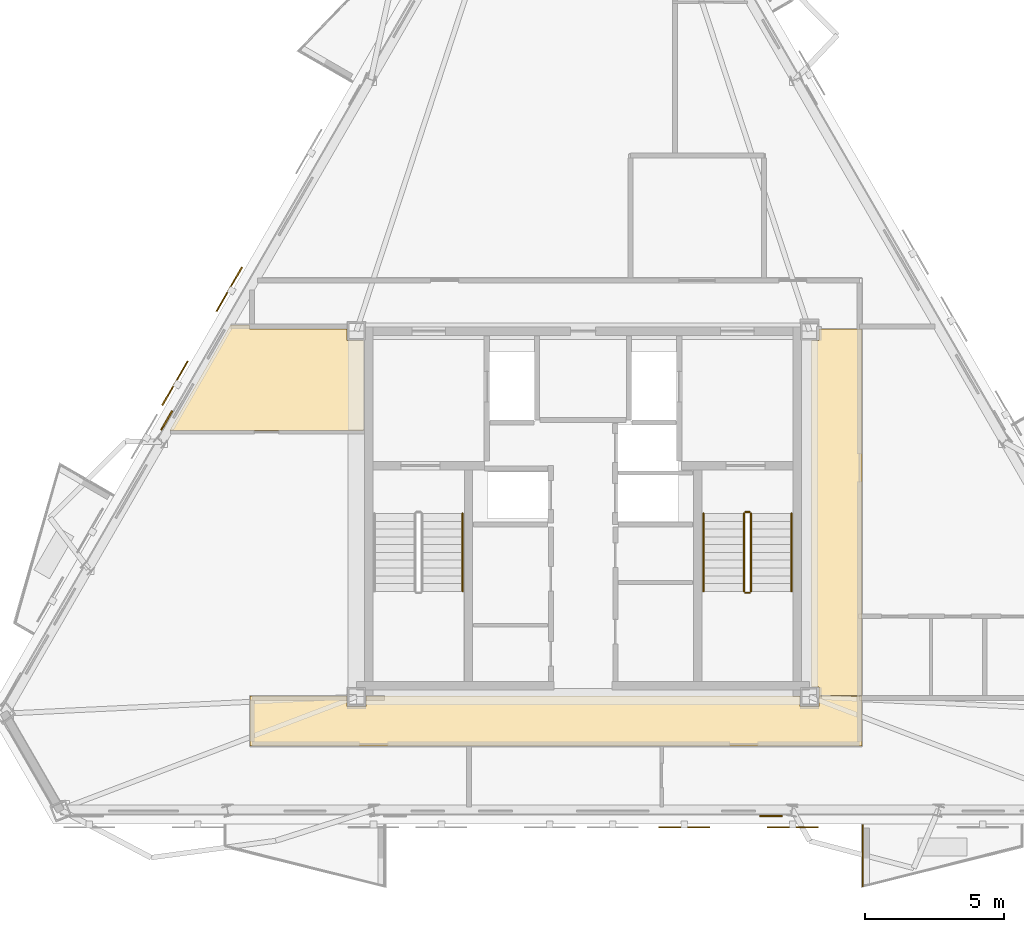
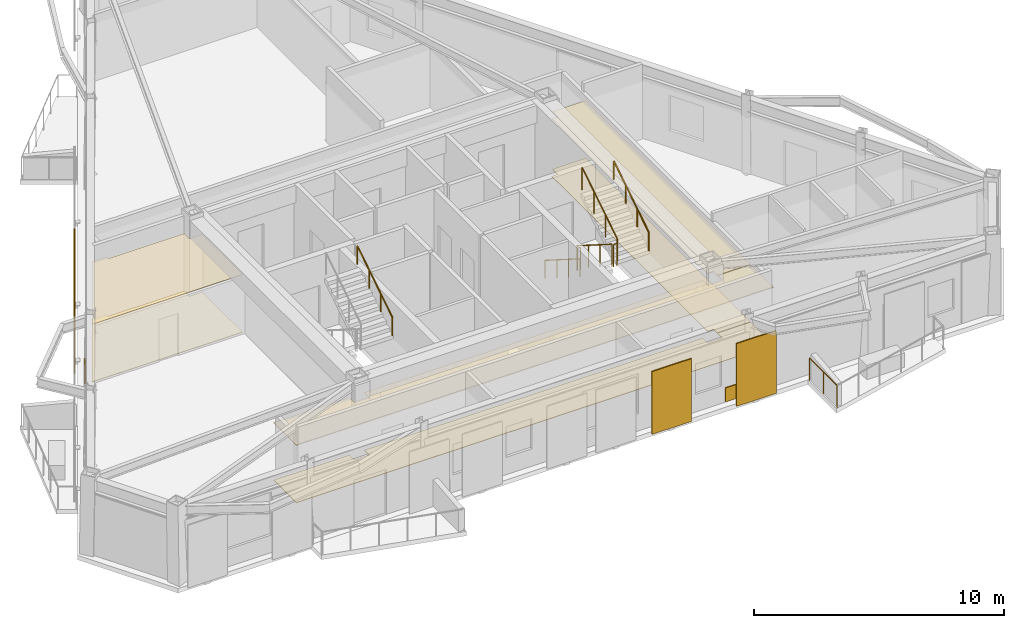
# One storey, part 7 of 9: 8 coverings, 8 railings, 4 shading devices.
"""IFC4 building model written with IfcOpenShell, lengths in metres."""

from ifc_helpers import new_model, si_unit, direction, frame, origin, origin_2d, place, context, subcontext, project, spatial, polyline, rectangle, circle, outline, extrude, material, layer, layer_set, type_object, element, save


model = new_model("IFC4")

# Units and contexts
model_context = context("Model", 3, precision=1e-05, world=origin(), true_north=direction((0.0, 1.0)))
body_context = subcontext(model_context, "Body", "Model", "MODEL_VIEW")
ifc_project = project(units=[si_unit("LENGTHUNIT", "METRE"), si_unit("AREAUNIT", "SQUARE_METRE"), si_unit("VOLUMEUNIT", "CUBIC_METRE"), si_unit("PLANEANGLEUNIT", "RADIAN"), si_unit("MASSUNIT", "GRAM", prefix="KILO")], contexts=[model_context])

# Site, building, storey
site_placement = place(None, origin())
site = spatial("IfcSite", under=ifc_project, at=site_placement, CompositionType="ELEMENT")
building_placement = place(site_placement, origin())
building = spatial("IfcBuilding", under=site, at=building_placement, Name="Oramaril Tower", CompositionType="ELEMENT")
storey_placement = place(building_placement, frame((0.0, 0.0, 292.800048828125)))
storey = spatial("IfcBuildingStorey", under=building, at=storey_placement, Name="L77", CompositionType="ELEMENT", Elevation=292.800048828125)

# Coverings
ifc_material_1 = material(Name="Mineral Fibre Acoustic Ceiling")
ifc_layer_1 = layer(ifc_material_1, 0.02001953125)
ifc_layer_set_1 = layer_set([ifc_layer_1], Name="CVT-CEIL")
covering_type_1 = type_object("IfcCoveringType", Name="CVT-CEIL", PredefinedType="CEILING", material=ifc_layer_set_1)
covering_1_placement = place(storey_placement, frame((0.0, 0.0, 2.81201171875)))
element("IfcCovering", 1, at=covering_1_placement, inside=storey, type_object=covering_type_1, Name="L77 Acoustic Suspended Ceiling 1", PredefinedType="CEILING", context=body_context, shape_type="SweptSolid", body=[
    extrude(outline(polyline([(29.0048828125, 10.655029296875), (29.695068359375, 10.655029296875), (29.695068359375, 11.030029296875), (45.304931640625, 11.030029296875), (45.304931640625, 10.655029296875), (45.9951171875, 10.655029296875), (45.9951171875, 11.030029296875), (47.530029296875, 11.030029296875), (47.530029296875, 9.219970703125), (25.52001953125, 9.219970703125), (25.52001953125, 11.030029296875), (29.0048828125, 11.030029296875), (29.0048828125, 10.655029296875)])), origin(), (0.0, 0.0, 1.0), 0.02001953125),
])
covering_2_placement = place(storey_placement, frame((0.0, 0.0, 2.81201171875)))
element("IfcCovering", 2, at=covering_2_placement, inside=storey, type_object=covering_type_1, Name="L77 Acoustic Suspended Ceiling 3", PredefinedType="CEILING", context=body_context, shape_type="SweptSolid", body=[
    extrude(outline(polyline([(47.530029296875, 11.050048828125), (45.9951171875, 11.050048828125), (45.9951171875, 11.344970703125), (45.719970703125, 11.344970703125), (45.719970703125, 23.804931640625), (45.9951171875, 23.804931640625), (45.9951171875, 24.219970703125), (47.530029296875, 24.219970703125), (47.530029296875, 11.050048828125)])), origin(), (0.0, 0.0, 1.0), 0.02001953125),
])
covering_3_placement = place(storey_placement, frame((0.0, 0.0, 2.81201171875)))
element("IfcCovering", 3, at=covering_3_placement, inside=storey, type_object=covering_type_1, Name="L77 Acoustic Suspended Ceiling 8", PredefinedType="CEILING", context=body_context, shape_type="SweptSolid", body=[
    extrude(outline(polyline([(29.0048828125, 23.804931640625), (29.60009765625, 23.804931640625), (29.60009765625, 20.5791015625), (22.6416015625, 20.5791015625), (24.82568359375, 24.362060546875), (25.5, 24.362060546875), (25.5, 24.239990234375), (25.5, 24.238037109375), (25.50048828125, 24.236083984375), (25.5009765625, 24.234130859375), (25.50146484375, 24.232421875), (25.50244140625, 24.230712890625), (25.50341796875, 24.22900390625), (25.50439453125, 24.227294921875), (25.505859375, 24.225830078125), (25.50732421875, 24.224609375), (25.5087890625, 24.223388671875), (25.510498046875, 24.222412109375), (25.51220703125, 24.221435546875), (25.51416015625, 24.220947265625), (25.51611328125, 24.220458984375), (25.51806640625, 24.22021484375), (25.52001953125, 24.219970703125), (29.0048828125, 24.219970703125), (29.0048828125, 23.804931640625)])), origin(), (0.0, 0.0, 1.0), 0.02001953125),
])
ifc_material_2 = material(Name="Warm Cream Limestone", Category="masonry")
ifc_layer_2 = layer(ifc_material_2, 0.050048828125)
ifc_layer_set_2 = layer_set([ifc_layer_2], Name="CVT-CLD")
covering_type_2 = type_object("IfcCoveringType", Name="CVT-CLD", PredefinedType="CLADDING", material=ifc_layer_set_2)
for number, where, z_axis, x_axis, name in (
    (4, (44.2626953125, 6.716552734375, 0.0400390625), (0.0, 0.0, 1.0), (1.0, 0.0, 0.0), "L77 Warm Cream Limestone Spandrel Cladding"),
    (5, (22.5283203125, 20.93505859375, 0.0400390625), (0.0, 0.0, 1.0), (-0.5, -0.866025403784, 0.0), "L77 Warm Cream Limestone Spandrel Cladding"),
):
    element("IfcCovering", number, at=place(storey_placement, frame(where, z_axis=z_axis, x_axis=x_axis)), inside=storey, type_object=covering_type_2, Name=name, PredefinedType="CLADDING", context=body_context, shape_type="SweptSolid", body=[
        extrude(rectangle(XDim=0.800048828125, YDim=0.050048828125, at=origin_2d()), origin(), (0.0, 0.0, 1.0), 0.679931640625),
    ])
ifc_material_3 = material(Name="Honed Quartzite Stone Flooring", Category="masonry")
ifc_layer_3 = layer(ifc_material_3, 0.02490234375)
ifc_layer_set_3 = layer_set([ifc_layer_3], Name="CVT-FLR")
covering_type_3 = type_object("IfcCoveringType", Name="CVT-FLR", PredefinedType="FLOORING", material=ifc_layer_set_3)
covering_4_placement = place(storey_placement, origin())
element("IfcCovering", 6, at=covering_4_placement, inside=storey, type_object=covering_type_3, Name="L77 Honed Stone Floor Finish 1", PredefinedType="FLOORING", context=body_context, shape_type="SweptSolid", body=[
    extrude(outline(polyline([(29.0048828125, 10.655029296875), (29.695068359375, 10.655029296875), (29.695068359375, 11.030029296875), (45.304931640625, 11.030029296875), (45.304931640625, 10.655029296875), (45.9951171875, 10.655029296875), (45.9951171875, 11.030029296875), (47.530029296875, 11.030029296875), (47.530029296875, 9.219970703125), (25.52001953125, 9.219970703125), (25.52001953125, 11.030029296875), (29.0048828125, 11.030029296875), (29.0048828125, 10.655029296875)])), origin(), (0.0, 0.0, 1.0), 0.02490234375),
])
covering_5_placement = place(storey_placement, origin())
element("IfcCovering", 7, at=covering_5_placement, inside=storey, type_object=covering_type_3, Name="L77 Honed Stone Floor Finish 3", PredefinedType="FLOORING", context=body_context, shape_type="SweptSolid", body=[
    extrude(outline(polyline([(47.530029296875, 11.050048828125), (45.9951171875, 11.050048828125), (45.9951171875, 11.344970703125), (45.719970703125, 11.344970703125), (45.719970703125, 23.804931640625), (45.9951171875, 23.804931640625), (45.9951171875, 24.219970703125), (47.530029296875, 24.219970703125), (47.530029296875, 11.050048828125)])), origin(), (0.0, 0.0, 1.0), 0.02490234375),
])
covering_6_placement = place(storey_placement, origin())
element("IfcCovering", 8, at=covering_6_placement, inside=storey, type_object=covering_type_3, Name="L77 Honed Stone Floor Finish 8", PredefinedType="FLOORING", context=body_context, shape_type="SweptSolid", body=[
    extrude(outline(polyline([(29.0048828125, 23.804931640625), (29.60009765625, 23.804931640625), (29.60009765625, 20.5791015625), (22.6416015625, 20.5791015625), (24.82568359375, 24.362060546875), (25.5, 24.362060546875), (25.5, 24.239990234375), (25.5, 24.238037109375), (25.50048828125, 24.236083984375), (25.5009765625, 24.234130859375), (25.50146484375, 24.232421875), (25.50244140625, 24.230712890625), (25.50341796875, 24.22900390625), (25.50439453125, 24.227294921875), (25.505859375, 24.225830078125), (25.50732421875, 24.224609375), (25.5087890625, 24.223388671875), (25.510498046875, 24.222412109375), (25.51220703125, 24.221435546875), (25.51416015625, 24.220947265625), (25.51611328125, 24.220458984375), (25.51806640625, 24.22021484375), (25.52001953125, 24.219970703125), (29.0048828125, 24.219970703125), (29.0048828125, 23.804931640625)])), origin(), (0.0, 0.0, 1.0), 0.02490234375),
])

# Railings
ifc_material_4 = material(Name="Stainless Steel 316L", Category="steel")
railing_type_1 = type_object("IfcRailingType", Name="RLT-GRD", PredefinedType="GUARDRAIL", material=ifc_material_4)
railing_1_placement = place(storey_placement, frame((47.560791015625, 4.1845703125, 0.0)))
element("IfcRailing", 9, at=railing_1_placement, inside=storey, type_object=railing_type_1, Name="L77 Balcony Guardrail L77-BAL-S2.3", PredefinedType="GUARDRAIL", context=body_context, shape_type="SweptSolid", body=[
    extrude(circle(Radius=0.02392578125, at=origin_2d()), frame((0.0, 0.0, 1.076171875), z_axis=(0.0, 1.0, 0.0), x_axis=(-1.0, 0.0, 0.0)), (0.0, 0.0, 1.0), 2.192138671875),
    extrude(circle(Radius=0.02099609375, at=origin_2d()), origin(), (0.0, 0.0, 1.0), 1.052001953125),
    extrude(circle(Radius=0.02099609375, at=origin_2d()), frame((0.0, 1.09619140625, 0.0)), (0.0, 0.0, 1.0), 1.052001953125),
    extrude(circle(Radius=0.02099609375, at=origin_2d()), frame((0.0, 2.192138671875, 0.0)), (0.0, 0.0, 1.0), 1.052001953125),
])
railing_2_placement = place(storey_placement, frame((43.2900390625, 17.590087890625, 0.17724609375)))
element("IfcRailing", 10, at=railing_2_placement, inside=storey, type_object=railing_type_1, Name="L77 ST-2 stair guard 1", PredefinedType="GUARDRAIL", context=body_context, shape_type="SweptSolid", body=[
    extrude(circle(Radius=0.02392578125, at=origin_2d()), frame((0.0, 0.0, 1.076171875), z_axis=(0.0, -0.844908973607, 0.534910110503), x_axis=(1.0, 0.0, 0.0)), (0.0, 0.0, 1.0), 3.31396484375),
    extrude(circle(Radius=0.02099609375, at=origin_2d()), origin(), (0.0, 0.0, 1.0), 1.052001953125),
    extrude(circle(Radius=0.02099609375, at=origin_2d()), frame((0.0, -0.933349609375, 0.5908203125)), (0.0, 0.0, 1.0), 1.052001953125),
    extrude(circle(Radius=0.02099609375, at=origin_2d()), frame((0.0, -1.86669921875, 1.181884765625)), (0.0, 0.0, 1.0), 1.052001953125),
    extrude(circle(Radius=0.02099609375, at=origin_2d()), frame((0.0, -2.800048828125, 1.772705078125)), (0.0, 0.0, 1.0), 1.052001953125),
])
railing_3_placement = place(storey_placement, frame((43.340087890625, 14.739990234375, 1.949951171875)))
element("IfcRailing", 11, at=railing_3_placement, inside=storey, type_object=railing_type_1, Name="L77 ST-2 stair guard 2", PredefinedType="GUARDRAIL", context=body_context, shape_type="SweptSolid", body=[
    extrude(circle(Radius=0.02392578125, at=origin_2d()), frame((0.0, 0.0, 1.076171875), z_axis=(1.0, 0.0, 0.0), x_axis=(0.0, 1.0, 0.0)), (0.0, 0.0, 1.0), 0.14990234375),
    extrude(circle(Radius=0.02099609375, at=origin_2d()), origin(), (0.0, 0.0, 1.0), 1.052001953125),
    extrude(circle(Radius=0.02099609375, at=origin_2d()), frame((0.14990234375, 0.0, 0.0)), (0.0, 0.0, 1.0), 1.052001953125),
])
railing_4_placement = place(storey_placement, frame((43.5400390625, 14.7900390625, 2.127197265625)))
element("IfcRailing", 12, at=railing_4_placement, inside=storey, type_object=railing_type_1, Name="L77 ST-2 stair guard 3", PredefinedType="GUARDRAIL", context=body_context, shape_type="SweptSolid", body=[
    extrude(circle(Radius=0.02392578125, at=origin_2d()), frame((0.0, 0.0, 1.076171875), z_axis=(0.0, 0.844908973607, 0.534910110503), x_axis=(-1.0, 0.0, 0.0)), (0.0, 0.0, 1.0), 3.31396484375),
    extrude(circle(Radius=0.02099609375, at=origin_2d()), origin(), (0.0, 0.0, 1.0), 1.052001953125),
    extrude(circle(Radius=0.02099609375, at=origin_2d()), frame((0.0, 0.933349609375, 0.5908203125)), (0.0, 0.0, 1.0), 1.052001953125),
    extrude(circle(Radius=0.02099609375, at=origin_2d()), frame((0.0, 1.86669921875, 1.181884765625)), (0.0, 0.0, 1.0), 1.052001953125),
    extrude(circle(Radius=0.02099609375, at=origin_2d()), frame((0.0, 2.800048828125, 1.772705078125)), (0.0, 0.0, 1.0), 1.052001953125),
])
railing_5_placement = place(storey_placement, frame((43.340087890625, 17.639892578125, 0.0)))
element("IfcRailing", 13, at=railing_5_placement, inside=storey, type_object=railing_type_1, Name="L77 ST-2 stair guard 4", PredefinedType="GUARDRAIL", context=body_context, shape_type="SweptSolid", body=[
    extrude(circle(Radius=0.02392578125, at=origin_2d()), frame((0.0, 0.0, 1.076171875), z_axis=(1.0, 0.0, 0.0), x_axis=(0.0, 1.0, 0.0)), (0.0, 0.0, 1.0), 0.14990234375),
    extrude(circle(Radius=0.02099609375, at=origin_2d()), origin(), (0.0, 0.0, 1.0), 1.052001953125),
    extrude(circle(Radius=0.02099609375, at=origin_2d()), frame((0.14990234375, 0.0, 0.0)), (0.0, 0.0, 1.0), 1.052001953125),
])
ifc_material_5 = material(Name="Stainless Steel 316L", Category="steel")
railing_type_2 = type_object("IfcRailingType", Name="RLT-HND", PredefinedType="HANDRAIL", material=ifc_material_5)
railing_6_placement = place(storey_placement, frame((33.169921875, 14.7900390625, 2.127197265625)))
element("IfcRailing", 14, at=railing_6_placement, inside=storey, type_object=railing_type_2, Name="L77 ST-1 stair handrail 2", PredefinedType="HANDRAIL", context=body_context, shape_type="SweptSolid", body=[
    extrude(circle(Radius=0.02392578125, at=origin_2d()), frame((0.0, 0.0, 0.8759765625), z_axis=(0.0, 0.844908973607, 0.534910110503), x_axis=(-1.0, 0.0, 0.0)), (0.0, 0.0, 1.0), 3.31396484375),
    extrude(circle(Radius=0.02099609375, at=origin_2d()), origin(), (0.0, 0.0, 1.0), 0.851806640625),
    extrude(circle(Radius=0.02099609375, at=origin_2d()), frame((0.0, 0.933349609375, 0.5908203125)), (0.0, 0.0, 1.0), 0.851806640625),
    extrude(circle(Radius=0.02099609375, at=origin_2d()), frame((0.0, 1.86669921875, 1.181884765625)), (0.0, 0.0, 1.0), 0.851806640625),
    extrude(circle(Radius=0.02099609375, at=origin_2d()), frame((0.0, 2.800048828125, 1.772705078125)), (0.0, 0.0, 1.0), 0.851806640625),
])
railing_7_placement = place(storey_placement, frame((41.830078125, 17.590087890625, 0.17724609375)))
element("IfcRailing", 15, at=railing_7_placement, inside=storey, type_object=railing_type_2, Name="L77 ST-2 stair handrail 1", PredefinedType="HANDRAIL", context=body_context, shape_type="SweptSolid", body=[
    extrude(circle(Radius=0.02392578125, at=origin_2d()), frame((0.0, 0.0, 0.8759765625), z_axis=(0.0, -0.844908973607, 0.534910110503), x_axis=(1.0, 0.0, 0.0)), (0.0, 0.0, 1.0), 3.31396484375),
    extrude(circle(Radius=0.02099609375, at=origin_2d()), origin(), (0.0, 0.0, 1.0), 0.851806640625),
    extrude(circle(Radius=0.02099609375, at=origin_2d()), frame((0.0, -0.933349609375, 0.5908203125)), (0.0, 0.0, 1.0), 0.851806640625),
    extrude(circle(Radius=0.02099609375, at=origin_2d()), frame((0.0, -1.86669921875, 1.181884765625)), (0.0, 0.0, 1.0), 0.851806640625),
    extrude(circle(Radius=0.02099609375, at=origin_2d()), frame((0.0, -2.800048828125, 1.772705078125)), (0.0, 0.0, 1.0), 0.851806640625),
])
railing_8_placement = place(storey_placement, frame((45.0, 14.7900390625, 2.127197265625)))
element("IfcRailing", 16, at=railing_8_placement, inside=storey, type_object=railing_type_2, Name="L77 ST-2 stair handrail 2", PredefinedType="HANDRAIL", context=body_context, shape_type="SweptSolid", body=[
    extrude(circle(Radius=0.02392578125, at=origin_2d()), frame((0.0, 0.0, 0.8759765625), z_axis=(0.0, 0.844908973607, 0.534910110503), x_axis=(-1.0, 0.0, 0.0)), (0.0, 0.0, 1.0), 3.31396484375),
    extrude(circle(Radius=0.02099609375, at=origin_2d()), origin(), (0.0, 0.0, 1.0), 0.851806640625),
    extrude(circle(Radius=0.02099609375, at=origin_2d()), frame((0.0, 0.933349609375, 0.5908203125)), (0.0, 0.0, 1.0), 0.851806640625),
    extrude(circle(Radius=0.02099609375, at=origin_2d()), frame((0.0, 1.86669921875, 1.181884765625)), (0.0, 0.0, 1.0), 0.851806640625),
    extrude(circle(Radius=0.02099609375, at=origin_2d()), frame((0.0, 2.800048828125, 1.772705078125)), (0.0, 0.0, 1.0), 0.851806640625),
])

# Shading devices
for number, where, z_axis, x_axis, name in (
    (17, (41.145263671875, 6.3046875, -0.02001953125), (0.0, 0.0, 1.0), (1.0, 0.0, 0.0), "L77 Perforated Ceramic Solar Screen"),
    (18, (45.045166015625, 6.3046875, -0.02001953125), (0.0, 0.0, 1.0), (1.0, 0.0, 0.0), "L77 Perforated Ceramic Solar Screen"),
    (19, (24.776611328125, 25.653076171875, -0.02001953125), (0.0, 0.0, 1.0), (-0.5, -0.866025403784, 0.0), "L77 Perforated Ceramic Solar Screen"),
    (20, (22.82666015625, 22.275634765625, -0.02001953125), (0.0, 0.0, 1.0), (-0.5, -0.866025403784, 0.0), "L77 Perforated Ceramic Solar Screen"),
):
    element("IfcShadingDevice", number, at=place(storey_placement, frame(where, z_axis=z_axis, x_axis=x_axis)), inside=storey, Name=name, ObjectType="SCREEN", PredefinedType="USERDEFINED", context=body_context, shape_type="SweptSolid", body=[
        extrude(rectangle(XDim=1.8330078125, YDim=0.050048828125, at=origin_2d()), origin(), (0.0, 0.0, 1.0), 3.05810546875),
    ])

save(model, "model.ifc")
